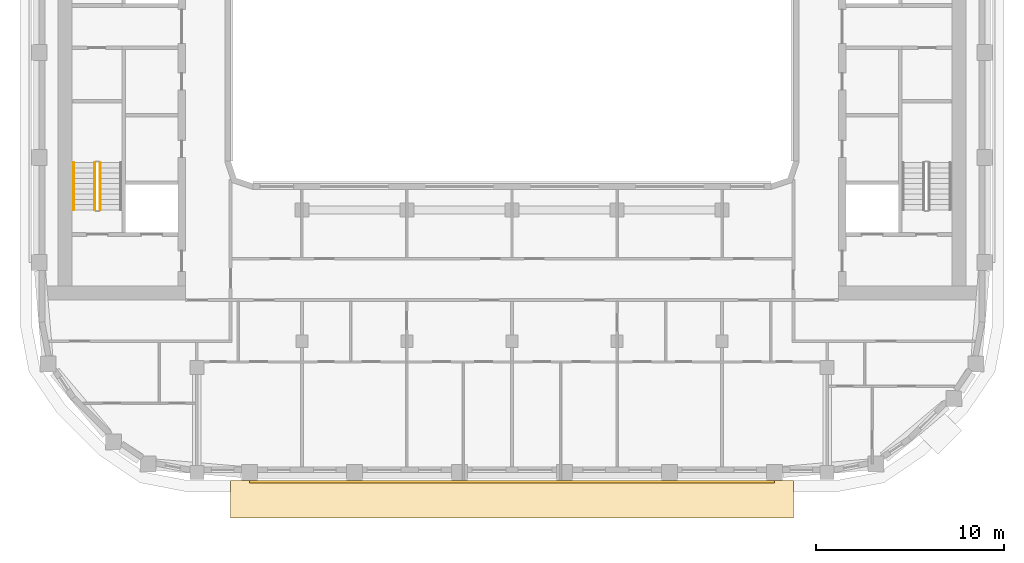
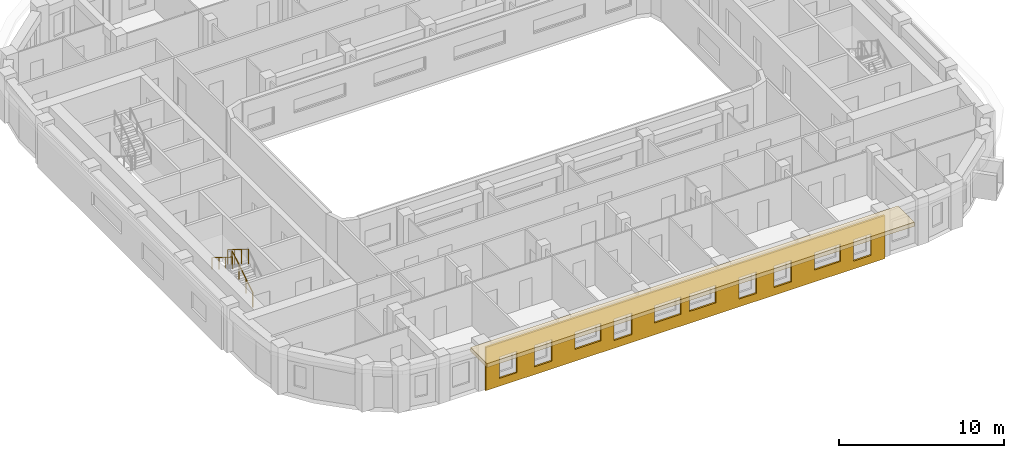
# One storey, part 11 of 21: 3 railings, 2 coverings.
"""IFC4 building model written with IfcOpenShell, lengths in metres."""

from ifc_helpers import new_model, si_unit, direction, frame, origin, origin_2d, place, context, subcontext, project, spatial, polyline, circle, outline, extrude, material, layer, layer_set, type_object, element, save


model = new_model("IFC4")

# Units and contexts
model_context = context("Model", 3, precision=1e-05, world=origin(), true_north=direction((0.0, 1.0)))
body_context = subcontext(model_context, "Body", "Model", "MODEL_VIEW")
ifc_project = project(units=[si_unit("LENGTHUNIT", "METRE"), si_unit("AREAUNIT", "SQUARE_METRE"), si_unit("VOLUMEUNIT", "CUBIC_METRE"), si_unit("PLANEANGLEUNIT", "RADIAN"), si_unit("MASSUNIT", "GRAM", prefix="KILO")], contexts=[model_context])

# Site, building, storey
site_placement = place(None, origin())
site = spatial("IfcSite", under=ifc_project, at=site_placement, CompositionType="ELEMENT")
building_placement = place(site_placement, origin())
building = spatial("IfcBuilding", under=site, at=building_placement, Name="Kiln Ring Residences", CompositionType="ELEMENT")
storey_placement = place(building_placement, frame((0.0, 0.0, 220.39990234375)))
storey = spatial("IfcBuildingStorey", under=building, at=storey_placement, Name="L57", CompositionType="ELEMENT", Elevation=220.39990234375)

# Railings
ifc_material_1 = material(Name="Stainless steel", Category="steel")
railing_type_1 = type_object("IfcRailingType", Name="CORE-STAIR-GUARD", PredefinedType="GUARDRAIL", material=ifc_material_1)
railing_1_placement = place(storey_placement, frame((-21.949951171875, -8.39990234375, 0.175048828125)))
element("IfcRailing", 1, at=railing_1_placement, inside=storey, type_object=railing_type_1, Name="L57 W-STS stair guard 1", PredefinedType="GUARDRAIL", context=body_context, shape_type="SweptSolid", body=[
    extrude(circle(Radius=0.02392578125, at=origin_2d()), frame((0.0, 0.0, 1.076171875), z_axis=(0.0, 0.848007534815, 0.529984170421), x_axis=(-1.0, 0.0, 0.0)), (0.0, 0.0, 1.0), 2.9716796875),
    extrude(circle(Radius=0.02099609375, at=origin_2d()), origin(), (0.0, 0.0, 1.0), 1.052001953125),
    extrude(circle(Radius=0.02099609375, at=origin_2d()), frame((0.0, 0.840087890625, 0.52490234375)), (0.0, 0.0, 1.0), 1.052001953125),
    extrude(circle(Radius=0.02099609375, at=origin_2d()), frame((0.0, 1.679931640625, 1.050048828125)), (0.0, 0.0, 1.0), 1.052001953125),
    extrude(circle(Radius=0.02099609375, at=origin_2d()), frame((0.0, 2.52001953125, 1.574951171875)), (0.0, 0.0, 1.0), 1.052001953125),
])
railing_2_placement = place(storey_placement, frame((-22.25, -5.8798828125, 1.925048828125)))
element("IfcRailing", 2, at=railing_2_placement, inside=storey, type_object=railing_type_1, Name="L57 W-STS stair guard 3", PredefinedType="GUARDRAIL", context=body_context, shape_type="SweptSolid", body=[
    extrude(circle(Radius=0.02392578125, at=origin_2d()), frame((0.0, 0.0, 1.076171875), z_axis=(0.0, -0.848007534815, 0.529984170421), x_axis=(1.0, 0.0, 0.0)), (0.0, 0.0, 1.0), 2.9716796875),
    extrude(circle(Radius=0.02099609375, at=origin_2d()), origin(), (0.0, 0.0, 1.0), 1.052001953125),
    extrude(circle(Radius=0.02099609375, at=origin_2d()), frame((0.0, -0.840087890625, 0.52490234375)), (0.0, 0.0, 1.0), 1.052001953125),
    extrude(circle(Radius=0.02099609375, at=origin_2d()), frame((0.0, -1.679931640625, 1.050048828125)), (0.0, 0.0, 1.0), 1.052001953125),
    extrude(circle(Radius=0.02099609375, at=origin_2d()), frame((0.0, -2.52001953125, 1.574951171875)), (0.0, 0.0, 1.0), 1.052001953125),
])
ifc_material_2 = material(Name="Stainless steel", Category="steel")
railing_type_2 = type_object("IfcRailingType", Name="CORE-STAIR-HANDRAIL", PredefinedType="HANDRAIL", material=ifc_material_2)
railing_3_placement = place(storey_placement, frame((-23.35009765625, -5.8798828125, 1.925048828125)))
element("IfcRailing", 3, at=railing_3_placement, inside=storey, type_object=railing_type_2, Name="L57 W-STS stair handrail 2", PredefinedType="HANDRAIL", context=body_context, shape_type="SweptSolid", body=[
    extrude(circle(Radius=0.02392578125, at=origin_2d()), frame((0.0, 0.0, 0.8759765625), z_axis=(0.0, -0.848007534815, 0.529984170421), x_axis=(1.0, 0.0, 0.0)), (0.0, 0.0, 1.0), 2.9716796875),
    extrude(circle(Radius=0.02099609375, at=origin_2d()), origin(), (0.0, 0.0, 1.0), 0.851806640625),
    extrude(circle(Radius=0.02099609375, at=origin_2d()), frame((0.0, -0.840087890625, 0.52490234375)), (0.0, 0.0, 1.0), 0.851806640625),
    extrude(circle(Radius=0.02099609375, at=origin_2d()), frame((0.0, -1.679931640625, 1.050048828125)), (0.0, 0.0, 1.0), 0.851806640625),
    extrude(circle(Radius=0.02099609375, at=origin_2d()), frame((0.0, -2.52001953125, 1.574951171875)), (0.0, 0.0, 1.0), 0.851806640625),
])

# Coverings
ifc_material_3 = material(Name="Brick masonry, dark clay brick", Category="masonry")
ifc_layer_1 = layer(ifc_material_3, 0.1201171875)
ifc_layer_set_1 = layer_set([ifc_layer_1], Name="RAINSCREEN PANEL 120")
covering_type_1 = type_object("IfcCoveringType", Name="RAINSCREEN PANEL 120", PredefinedType="CLADDING", material=ifc_layer_set_1)
covering_1_placement = place(storey_placement, frame((-14.0, -22.885009765625, 0.0), z_axis=(0.0, 0.0, 1.0), x_axis=(1.0, 0.0, 0.0)))
element("IfcCovering", 4, at=covering_1_placement, inside=storey, type_object=covering_type_1, Name="RAINSCREEN L57", PredefinedType="CLADDING", context=body_context, shape_type="SweptSolid", body=[
    extrude(outline(polyline([(0.0, 0.0), (28.0, 0.0), (28.0, 3.2001953125), (0.0, 3.2001953125), (0.0, 0.0)]), holes=[polyline([(0.955078125, 0.580078125), (2.195068359375, 0.580078125), (2.195068359375, 2.170166015625), (0.955078125, 2.170166015625), (0.955078125, 0.580078125)]), polyline([(3.405029296875, 0.580078125), (4.64501953125, 0.580078125), (4.64501953125, 2.170166015625), (3.405029296875, 2.170166015625), (3.405029296875, 0.580078125)]), polyline([(9.0048828125, 0.580078125), (10.2451171875, 0.580078125), (10.2451171875, 2.170166015625), (9.0048828125, 2.170166015625), (9.0048828125, 0.580078125)]), polyline([(17.7548828125, 2.170166015625), (17.7548828125, 0.580078125), (18.9951171875, 0.580078125), (18.9951171875, 2.170166015625), (17.7548828125, 2.170166015625)]), polyline([(20.205078125, 2.170166015625), (20.205078125, 0.580078125), (21.445068359375, 0.580078125), (21.445068359375, 2.170166015625), (20.205078125, 2.170166015625)]), polyline([(25.804931640625, 0.580078125), (27.044921875, 0.580078125), (27.044921875, 2.170166015625), (25.804931640625, 2.170166015625), (25.804931640625, 0.580078125)]), polyline([(6.2548828125, 0.880126953125), (8.094970703125, 0.880126953125), (8.094970703125, 2.170166015625), (6.2548828125, 2.170166015625), (6.2548828125, 0.880126953125)]), polyline([(11.85498046875, 0.880126953125), (13.695068359375, 0.880126953125), (13.695068359375, 2.170166015625), (11.85498046875, 2.170166015625), (11.85498046875, 0.880126953125)]), polyline([(14.304931640625, 2.170166015625), (14.304931640625, 0.880126953125), (16.14501953125, 0.880126953125), (16.14501953125, 2.170166015625), (14.304931640625, 2.170166015625)]), polyline([(23.054931640625, 2.170166015625), (23.054931640625, 0.880126953125), (24.89501953125, 0.880126953125), (24.89501953125, 2.170166015625), (23.054931640625, 2.170166015625)])]), frame((0.0, 0.06005859375, 0.0), z_axis=(0.0, -1.0, 0.0), x_axis=(1.0, 0.0, 0.0)), (0.0, 0.0, 1.0), 0.1201171875),
])
ifc_material_4 = material(Name="Black powder-coated steel", Category="steel")
ifc_layer_2 = layer(ifc_material_4, 0.300048828125)
ifc_layer_set_2 = layer_set([ifc_layer_2], Name="SUNSHADE BAND 2000")
covering_type_2 = type_object("IfcCoveringType", Name="SUNSHADE BAND 2000", PredefinedType="CLADDING", material=ifc_layer_set_2)
covering_2_placement = place(storey_placement, frame((0.0, 0.0, 3.2001953125)))
element("IfcCovering", 5, at=covering_2_placement, inside=storey, type_object=covering_type_2, Name="SUNSHADE BAND L57", PredefinedType="CLADDING", context=body_context, shape_type="SweptSolid", body=[
    extrude(outline(polyline([(-15.0, -24.824951171875), (15.0, -24.824951171875), (15.0, -22.824951171875), (-15.0, -22.824951171875), (-15.0, -24.824951171875)])), origin(), (0.0, 0.0, 1.0), 0.2998046875),
])

save(model, "model.ifc")
